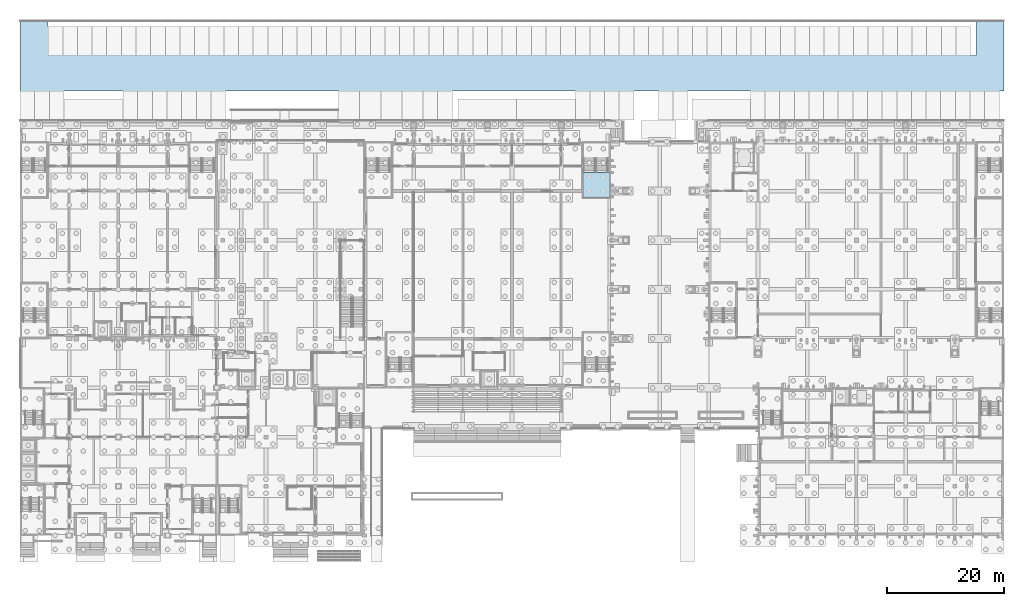
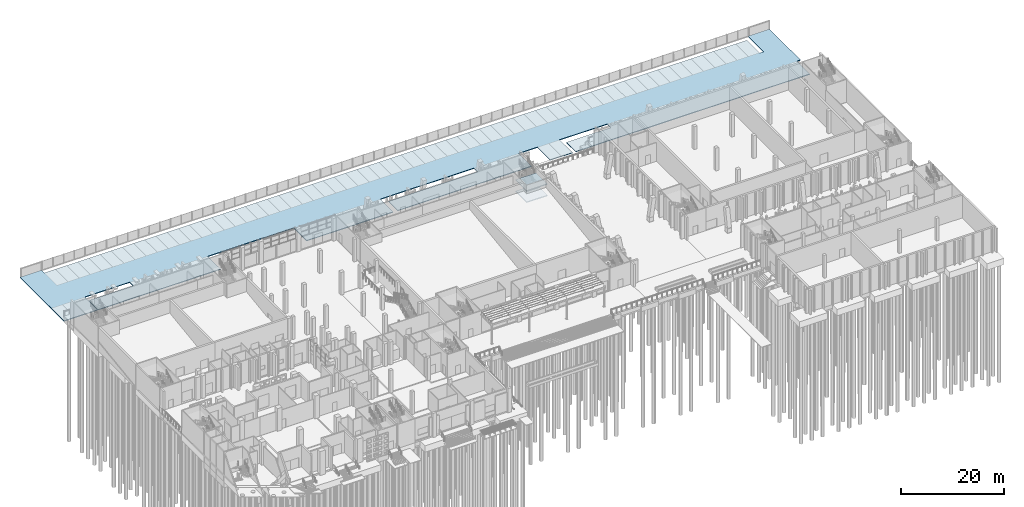
# One storey, part 39 of 129: 3 slabs, 1 element without a shape of its own.
"""IFC4 building model written with IfcOpenShell, lengths in metres."""

from ifc_helpers import new_model, si_unit, direction, frame, origin, place, context, subcontext, project, spatial, polyline, outline, extrude, material, layer, layer_set, type_object, element, aggregate, save


model = new_model("IFC4")

# Units and contexts
model_context = context("Model", 3, precision=1e-05, world=origin(), true_north=direction((0.0, 1.0)))
body_context = subcontext(model_context, "Body", "Model", "MODEL_VIEW")
ifc_project = project(units=[si_unit("LENGTHUNIT", "METRE"), si_unit("AREAUNIT", "SQUARE_METRE"), si_unit("VOLUMEUNIT", "CUBIC_METRE"), si_unit("PLANEANGLEUNIT", "RADIAN"), si_unit("MASSUNIT", "GRAM", prefix="KILO")], contexts=[model_context])

# Site, building, storey
site_placement = place(None, origin())
site = spatial("IfcSite", under=ifc_project, at=site_placement, CompositionType="ELEMENT")
building_placement = place(site_placement, origin())
building = spatial("IfcBuilding", under=site, at=building_placement, Name="Kiln Court Media Centre", CompositionType="ELEMENT")
storey_placement = place(building_placement, origin())
storey = spatial("IfcBuildingStorey", under=building, at=storey_placement, Name="L00", CompositionType="ELEMENT", Elevation=0.0)

# Slab
ifc_material_1 = material(Name="Concrete C30/37", Category="concrete")
ifc_layer_1 = layer(ifc_material_1, 0.14990234375)
ifc_layer_set_1 = layer_set([ifc_layer_1], Name="Concrete C30/37 paving slab 150")
slab_type_1 = type_object("IfcSlabType", Name="Concrete C30/37 paving slab 150", PredefinedType="BASESLAB", material=ifc_layer_set_1)
slab_1_placement = place(storey_placement, frame((0.0, 0.0, -1.35009765625)))
element("IfcSlab", 1, at=slab_1_placement, inside=storey, type_object=slab_type_1, Name="Paving on grade 13", PredefinedType="BASESLAB", context=body_context, shape_type="SweptSolid", body=[
    extrude(outline(polyline([(7.5, 75.89990234375), (7.800048828125, 75.89990234375), (17.60009765625, 75.89990234375), (17.60009765625, 74.5), (7.60009765625, 74.5), (7.60009765625, 70.89990234375), (17.60009765625, 70.89990234375), (20.10009765625, 70.89990234375), (22.60009765625, 70.89990234375), (25.10009765625, 70.89990234375), (27.60009765625, 70.89990234375), (30.10009765625, 70.89990234375), (32.60009765625, 70.89990234375), (35.10009765625, 70.89990234375), (35.10009765625, 75.89990234375), (54.39990234375, 75.89990234375), (54.39990234375, 70.89990234375), (58.0, 70.89990234375), (61.60009765625, 70.89990234375), (65.199951171875, 70.89990234375), (68.800048828125, 70.89990234375), (71.300048828125, 70.89990234375), (73.800048828125, 70.89990234375), (73.800048828125, 75.89990234375), (94.800048828125, 75.89990234375), (94.800048828125, 74.5), (84.800048828125, 74.5), (74.800048828125, 74.5), (74.800048828125, 70.89990234375), (84.800048828125, 70.89990234375), (94.800048828125, 70.89990234375), (97.300048828125, 70.89990234375), (99.800048828125, 70.89990234375), (102.300048828125, 70.89990234375), (104.800048828125, 70.89990234375), (104.800048828125, 75.89990234375), (109.0, 75.89990234375), (109.0, 70.89990234375), (111.5, 70.89990234375), (114.0, 70.89990234375), (114.0, 75.89990234375), (124.699951171875, 75.89990234375), (124.699951171875, 74.5), (114.699951171875, 74.5), (114.699951171875, 70.89990234375), (124.699951171875, 70.89990234375), (127.199951171875, 70.89990234375), (129.699951171875, 70.89990234375), (132.199951171875, 70.89990234375), (134.699951171875, 70.89990234375), (137.199951171875, 70.89990234375), (139.699951171875, 70.89990234375), (142.199951171875, 70.89990234375), (144.699951171875, 70.89990234375), (147.199951171875, 70.89990234375), (149.699951171875, 70.89990234375), (152.199951171875, 70.89990234375), (154.699951171875, 70.89990234375), (157.199951171875, 70.89990234375), (159.699951171875, 70.89990234375), (162.199951171875, 70.89990234375), (164.699951171875, 70.89990234375), (167.199951171875, 70.89990234375), (167.199951171875, 75.89990234375), (168.0, 75.89990234375), (168.0, 81.89990234375), (168.0, 84.89990234375), (168.0, 88.0), (163.199951171875, 88.0), (163.199951171875, 84.89990234375), (163.199951171875, 81.89990234375), (162.300048828125, 81.89990234375), (162.300048828125, 86.89990234375), (159.800048828125, 86.89990234375), (157.300048828125, 86.89990234375), (154.800048828125, 86.89990234375), (152.300048828125, 86.89990234375), (149.800048828125, 86.89990234375), (147.300048828125, 86.89990234375), (144.800048828125, 86.89990234375), (142.300048828125, 86.89990234375), (139.800048828125, 86.89990234375), (137.300048828125, 86.89990234375), (134.800048828125, 86.89990234375), (132.300048828125, 86.89990234375), (129.800048828125, 86.89990234375), (127.300048828125, 86.89990234375), (124.800048828125, 86.89990234375), (122.300048828125, 86.89990234375), (119.800048828125, 86.89990234375), (117.300048828125, 86.89990234375), (114.800048828125, 86.89990234375), (112.300048828125, 86.89990234375), (109.800048828125, 86.89990234375), (107.300048828125, 86.89990234375), (104.800048828125, 86.89990234375), (102.300048828125, 86.89990234375), (99.800048828125, 86.89990234375), (97.300048828125, 86.89990234375), (94.800048828125, 86.89990234375), (92.300048828125, 86.89990234375), (89.800048828125, 86.89990234375), (87.300048828125, 86.89990234375), (84.800048828125, 86.89990234375), (82.300048828125, 86.89990234375), (79.800048828125, 86.89990234375), (77.300048828125, 86.89990234375), (74.800048828125, 86.89990234375), (72.300048828125, 86.89990234375), (69.800048828125, 86.89990234375), (67.300048828125, 86.89990234375), (64.800048828125, 86.89990234375), (62.300048828125, 86.89990234375), (59.800048828125, 86.89990234375), (57.300048828125, 86.89990234375), (54.800048828125, 86.89990234375), (52.300048828125, 86.89990234375), (49.800048828125, 86.89990234375), (47.300048828125, 86.89990234375), (44.800048828125, 86.89990234375), (42.300048828125, 86.89990234375), (39.800048828125, 86.89990234375), (37.300048828125, 86.89990234375), (34.800048828125, 86.89990234375), (32.300048828125, 86.89990234375), (29.800048828125, 86.89990234375), (27.300048828125, 86.89990234375), (24.800048828125, 86.89990234375), (22.300048828125, 86.89990234375), (19.800048828125, 86.89990234375), (17.300048828125, 86.89990234375), (14.800048828125, 86.89990234375), (12.300048828125, 86.89990234375), (9.800048828125, 86.89990234375), (7.300048828125, 86.89990234375), (4.800048828125, 86.89990234375), (4.800048828125, 88.0), (0.0, 88.0), (0.0, 84.89990234375), (0.0, 81.89990234375), (0.0, 75.89990234375), (0.0, 70.89990234375), (2.5, 70.89990234375), (5.0, 70.89990234375), (7.5, 70.89990234375), (7.5, 75.89990234375)])), origin(), (0.0, 0.0, 1.0), 0.150146484375),
])

# Stair, slabs
ifc_material_2 = material(Name="Concrete C40/50", Category="concrete")
stair_type = type_object("IfcStairType", Name="Concrete C40/50 dog-leg stair 2000 wide, 150 riser", PredefinedType="HALF_TURN_STAIR", material=ifc_material_2)
stair_placement = place(storey_placement, origin())
stair = element("IfcStair", 2, at=stair_placement, inside=storey, type_object=stair_type, Name="ST-12 L00", PredefinedType="HALF_TURN_STAIR")
ifc_material_3 = material(Name="Concrete C40/50", Category="concrete")
ifc_layer_2 = layer(ifc_material_3, 0.199951171875)
ifc_layer_set_2 = layer_set([ifc_layer_2], Name="Concrete C40/50 stair landing 200")
slab_type_2 = type_object("IfcSlabType", Name="Concrete C40/50 stair landing 200", PredefinedType="LANDING", material=ifc_layer_set_2)
slab_2_placement = place(storey_placement, frame((0.0, 0.0, 1.14990234375)))
slab_2 = element("IfcSlab", 3, at=slab_2_placement, type_object=slab_type_2, Name="L00-ST-5011 landing 5033", PredefinedType="LANDING", context=body_context, shape_type="SweptSolid", body=[
    extrude(outline(polyline([(96.080078125, 62.0), (96.080078125, 57.679931640625), (100.719970703125, 57.679931640625), (100.719970703125, 62.0), (96.080078125, 62.0)])), origin(), (0.0, 0.0, 1.0), 0.2001953125),
])
slab_3_placement = place(storey_placement, frame((0.0, 0.0, 3.85009765625)))
slab_3 = element("IfcSlab", 4, at=slab_3_placement, type_object=slab_type_2, Name="L00-ST-5011 landing 5035", PredefinedType="LANDING", context=body_context, shape_type="SweptSolid", body=[
    extrude(outline(polyline([(96.080078125, 62.0), (96.080078125, 57.679931640625), (100.719970703125, 57.679931640625), (100.719970703125, 62.0), (96.080078125, 62.0)])), origin(), (0.0, 0.0, 1.0), 0.199951171875),
])
aggregate(stair, [slab_2, slab_3])

save(model, "model.ifc")
